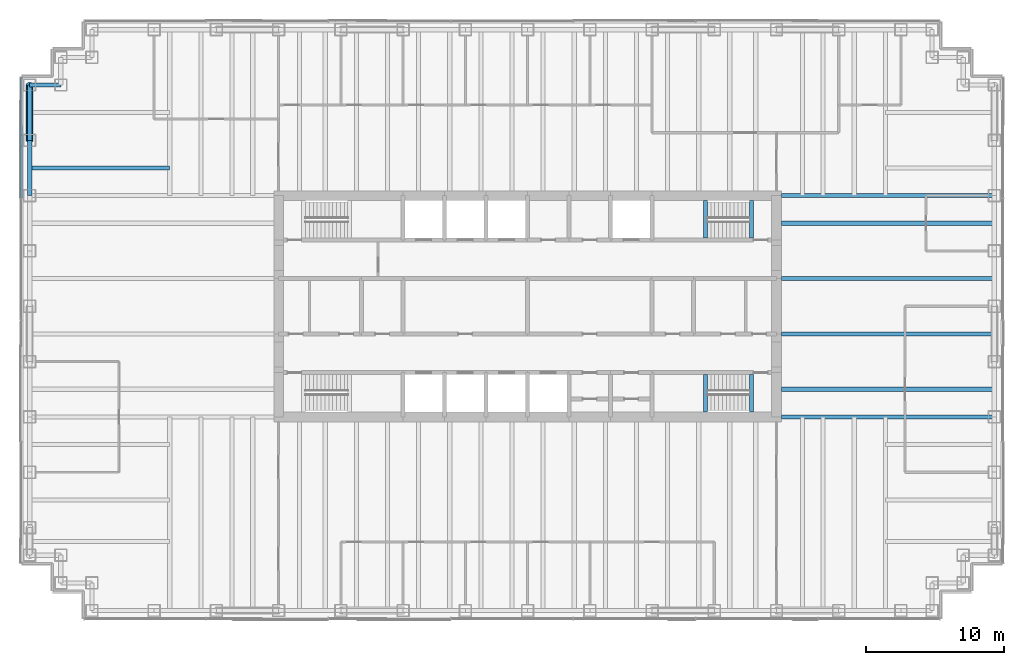
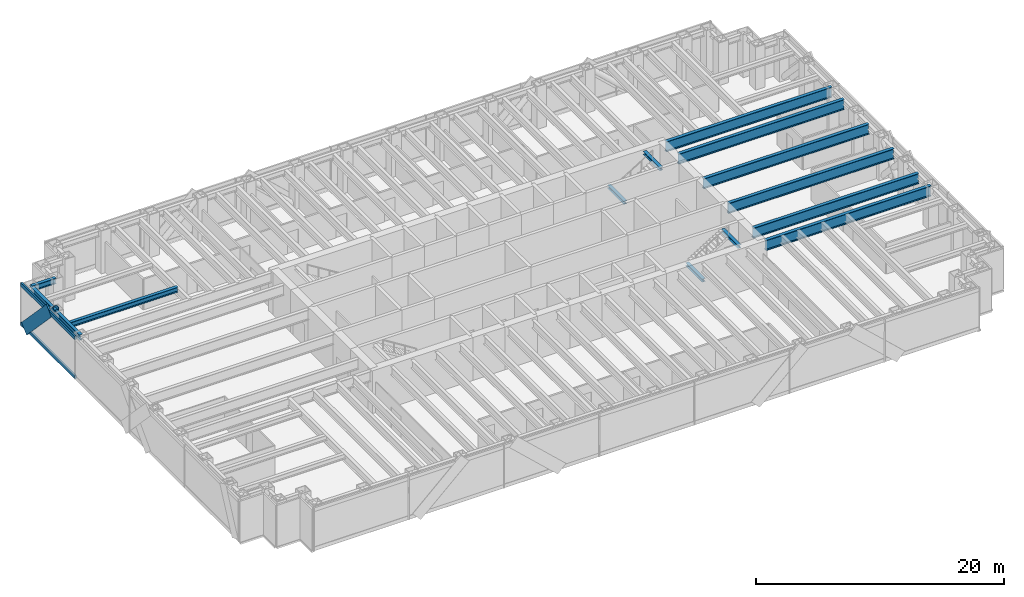
# One storey, part 5 of 15: 14 beams, 4 members, 1 element without a shape of its own.
"""IFC4 building model written with IfcOpenShell, lengths in metres."""

from ifc_helpers import new_model, si_unit, direction, frame, origin, origin_2d, place, context, subcontext, project, spatial, rectangle, hollow_circle, i_section, extrude, material, material_profile, profile_set, type_object, element, aggregate, save


model = new_model("IFC4")

# Units and contexts
model_context = context("Model", 3, precision=1e-05, world=origin(), true_north=direction((0.0, 1.0)))
body_context = subcontext(model_context, "Body", "Model", "MODEL_VIEW")
ifc_project = project(units=[si_unit("LENGTHUNIT", "METRE"), si_unit("AREAUNIT", "SQUARE_METRE"), si_unit("VOLUMEUNIT", "CUBIC_METRE"), si_unit("PLANEANGLEUNIT", "RADIAN"), si_unit("MASSUNIT", "GRAM", prefix="KILO")], contexts=[model_context])

# Site, building, storey
site_placement = place(None, origin())
site = spatial("IfcSite", under=ifc_project, at=site_placement, CompositionType="ELEMENT")
building_placement = place(site_placement, origin())
building = spatial("IfcBuilding", under=site, at=building_placement, Name="Rheinbord Bourse Tower", CompositionType="ELEMENT")
storey_placement = place(building_placement, frame((0.0, 0.0, 313.10009765625)))
storey = spatial("IfcBuildingStorey", under=building, at=storey_placement, Name="L71", CompositionType="ELEMENT", Elevation=313.10009765625)

# Curtain wall, members
ifc_material_1 = material(Name="Dark glass and black aluminium", Category="aluminium")
curtain_wall_type = type_object("IfcCurtainWallType", Name="CW3 DARK GLASS CURTAIN WALL", PredefinedType="USERDEFINED", material=ifc_material_1)
curtain_wall_placement = place(storey_placement, origin())
curtain_wall = element("IfcCurtainWall", 1, at=curtain_wall_placement, inside=storey, type_object=curtain_wall_type, Name="Curtain wall CW3 W L71", ObjectType="UNITISED CURTAIN WALL", PredefinedType="USERDEFINED")
ifc_material_2 = material(Name="Black anodised aluminium", Category="aluminium")
ifc_material_profile_1 = material_profile(ifc_material_2, rectangle(XDim=0.14990234375, YDim=1.10791015625, at=origin_2d()), Name="CW3 DIAGONAL MULLION 1108x150")
ifc_profile_set_1 = profile_set([ifc_material_profile_1], Name="Black anodised aluminium")
member_type_1 = type_object("IfcMemberType", Name="CW3 BLACK DIAGONAL MULLION", PredefinedType="USERDEFINED", material=ifc_profile_set_1)
member_1_placement = place(storey_placement, frame((-0.60009765625, 40.0, 0.0), z_axis=(0.0, -0.689659376744, 0.724133926887), x_axis=(1.0, 0.0, 0.0)))
member_1 = element("IfcMember", 2, at=member_1_placement, type_object=member_type_1, Name="CW3 diagonal mullion b", ObjectType="DIAGONAL MULLION", PredefinedType="USERDEFINED", context=body_context, shape_type="SweptSolid", body=[
    extrude(rectangle(XDim=0.14990234375, YDim=1.10791015625, at=origin_2d()), origin(), (0.0, 0.0, 1.0), 5.800048828125),
])
ifc_material_3 = material(Name="Black anodised aluminium", Category="aluminium")
ifc_material_profile_2 = material_profile(ifc_material_3, rectangle(XDim=0.14990234375, YDim=0.35009765625, at=origin_2d()), Name="CW3 TRANSOM 350x150")
ifc_profile_set_2 = profile_set([ifc_material_profile_2], Name="Black anodised aluminium")
member_type_2 = type_object("IfcMemberType", Name="CW3 BLACK TRANSOM", PredefinedType="USERDEFINED", material=ifc_profile_set_2)
member_2_placement = place(storey_placement, frame((-0.60009765625, 40.534912109375, 0.1748046875), z_axis=(0.0, -1.0, 0.0), x_axis=(1.0, 0.0, 0.0)))
member_2 = element("IfcMember", 3, at=member_2_placement, type_object=member_type_2, Name="CW3 transom 1.1", ObjectType="TRANSOM", PredefinedType="USERDEFINED", context=body_context, shape_type="SweptSolid", body=[
    extrude(rectangle(XDim=0.14990234375, YDim=0.35009765625, at=origin_2d()), origin(), (0.0, 0.0, 1.0), 8.702392578125),
])
member_3_placement = place(storey_placement, frame((-0.60009765625, 40.534912109375, 4.02490234375), z_axis=(0.0, -1.0, 0.0), x_axis=(1.0, 0.0, 0.0)))
member_3 = element("IfcMember", 4, at=member_3_placement, type_object=member_type_2, Name="CW3 transom 1.2", ObjectType="TRANSOM", PredefinedType="USERDEFINED", context=body_context, shape_type="SweptSolid", body=[
    extrude(rectangle(XDim=0.14990234375, YDim=0.35009765625, at=origin_2d()), origin(), (0.0, 0.0, 1.0), 8.702392578125),
])
aggregate(curtain_wall, [member_2, member_3, member_1])

# Beams
ifc_material_4 = material(Name="Steel S460", Category="steel")
ifc_material_profile_3 = material_profile(ifc_material_4, i_section(OverallWidth=0.302001953125, OverallDepth=1.008056640625, WebThickness=0.02099609375, FlangeThickness=0.0400390625, at=origin_2d()), Name="HEM 1000")
ifc_profile_set_3 = profile_set([ifc_material_profile_3], Name="Steel S460")
beam_type_1 = type_object("IfcBeamType", Name="END BEAM HEM 1000", PredefinedType="BEAM", material=ifc_profile_set_3)
for number, where, z_axis, x_axis, name in (
    (5, (54.35009765625, 18.0, 3.535888671875), (1.0, 0.0, 0.0), (0.0, 1.0, 0.0), "End beam east 18 L72"),
    (6, (54.35009765625, 22.0, 3.535888671875), (1.0, 0.0, 0.0), (0.0, 1.0, 0.0), "End beam east 22 L72"),
    (7, (54.35009765625, 26.0, 3.535888671875), (1.0, 0.0, 0.0), (0.0, 1.0, 0.0), "End beam east 26 L72"),
    (8, (54.35009765625, 30.0, 3.535888671875), (1.0, 0.0, 0.0), (0.0, 1.0, 0.0), "End beam east 30 L72"),
):
    element("IfcBeam", number, at=place(storey_placement, frame(where, z_axis=z_axis, x_axis=x_axis)), inside=storey, type_object=beam_type_1, Name=name, PredefinedType="BEAM", context=body_context, shape_type="SweptSolid", body=[
        extrude(i_section(OverallWidth=0.302001953125, OverallDepth=1.008056640625, WebThickness=0.02099609375, FlangeThickness=0.0400390625, at=origin_2d()), origin(), (0.0, 0.0, 1.0), 15.39990234375),
    ])
ifc_material_5 = material(Name="Steel S460", Category="steel")
ifc_material_profile_4 = material_profile(ifc_material_5, i_section(OverallWidth=0.302001953125, OverallDepth=1.008056640625, WebThickness=0.02099609375, FlangeThickness=0.0400390625, at=origin_2d()), Name="HEM 1000")
ifc_profile_set_4 = profile_set([ifc_material_profile_4], Name="Steel S460")
beam_type_2 = type_object("IfcBeamType", Name="GIRDER HEM 1000", PredefinedType="BEAM", material=ifc_profile_set_4)
for number, where, z_axis, x_axis, name in (
    (9, (54.35009765625, 16.0, 3.535888671875), (1.0, 0.0, 0.0), (0.0, 1.0, 0.0), "Girder east 16 L72"),
    (10, (54.35009765625, 32.0, 3.535888671875), (1.0, 0.0, 0.0), (0.0, 1.0, 0.0), "Girder east 32 L72"),
):
    element("IfcBeam", number, at=place(storey_placement, frame(where, z_axis=z_axis, x_axis=x_axis)), inside=storey, type_object=beam_type_2, Name=name, PredefinedType="BEAM", context=body_context, shape_type="SweptSolid", body=[
        extrude(i_section(OverallWidth=0.302001953125, OverallDepth=1.008056640625, WebThickness=0.02099609375, FlangeThickness=0.0400390625, at=origin_2d()), origin(), (0.0, 0.0, 1.0), 15.39990234375),
    ])
ifc_material_6 = material(Name="Steel S460", Category="steel")
ifc_material_profile_5 = material_profile(ifc_material_6, i_section(OverallWidth=0.300048828125, OverallDepth=0.300048828125, WebThickness=0.010986328125, FlangeThickness=0.01904296875, at=origin_2d()), Name="HEB 300")
ifc_profile_set_5 = profile_set([ifc_material_profile_5], Name="Steel S460")
beam_type_3 = type_object("IfcBeamType", Name="LANDING TRIMMER HEB 300", PredefinedType="BEAM", material=ifc_profile_set_5)
for number, where, z_axis, x_axis, name in (
    (11, (48.8701171875, 16.35009765625, 1.75), (0.0, 1.0, 0.0), (-1.0, 0.0, 0.0), "Landing trimmer ST3 L71"),
    (12, (52.199951171875, 16.35009765625, 3.889892578125), (0.0, 1.0, 0.0), (-1.0, 0.0, 0.0), "Well trimmer ST3 under L72"),
    (13, (48.8701171875, 28.949951171875, 1.75), (0.0, 1.0, 0.0), (-1.0, 0.0, 0.0), "Landing trimmer ST4 L71"),
    (14, (52.199951171875, 28.949951171875, 3.889892578125), (0.0, 1.0, 0.0), (-1.0, 0.0, 0.0), "Well trimmer ST4 under L72"),
):
    element("IfcBeam", number, at=place(storey_placement, frame(where, z_axis=z_axis, x_axis=x_axis)), inside=storey, type_object=beam_type_3, Name=name, PredefinedType="BEAM", context=body_context, shape_type="SweptSolid", body=[
        extrude(i_section(OverallWidth=0.300048828125, OverallDepth=0.300048828125, WebThickness=0.010986328125, FlangeThickness=0.01904296875, at=origin_2d()), origin(), (0.0, 0.0, 1.0), 2.699951171875),
    ])

# Member
ifc_material_7 = material(Name="Steel S460", Category="steel")
ifc_material_profile_6 = material_profile(ifc_material_7, hollow_circle(Radius=0.25390625, WallThickness=0.030029296875, at=origin_2d()), Name="CHS 508x30")
ifc_profile_set_6 = profile_set([ifc_material_profile_6], Name="Steel S460")
member_type_3 = type_object("IfcMemberType", Name="MEGABRACE CHS 508x30", PredefinedType="BRACE", material=ifc_profile_set_6)
member_4_placement = place(storey_placement, frame((0.0, 40.0, 0.0), z_axis=(0.0, -0.689659376744, 0.724133926887), x_axis=(1.0, 0.0, 0.0)))
element("IfcMember", 15, at=member_4_placement, inside=storey, type_object=member_type_3, Name="Megabrace W face line b L71", PredefinedType="BRACE", context=body_context, shape_type="SweptSolid", body=[
    extrude(hollow_circle(Radius=0.25390625, WallThickness=0.030029296875, at=origin_2d()), origin(), (0.0, 0.0, 1.0), 5.800048828125),
])

# Beams
ifc_material_8 = material(Name="Steel S460", Category="steel")
ifc_material_profile_7 = material_profile(ifc_material_8, i_section(OverallWidth=0.300048828125, OverallDepth=0.550048828125, WebThickness=0.014892578125, FlangeThickness=0.029052734375, at=origin_2d()), Name="HEB 550")
ifc_profile_set_7 = profile_set([ifc_material_profile_7], Name="Steel S460")
beam_type_4 = type_object("IfcBeamType", Name="SPANDREL HEB 550", PredefinedType="SPANDREL", material=ifc_profile_set_7)
beam_1_placement = place(storey_placement, frame((2.25, 40.0, 3.764892578125), z_axis=(-1.0, 0.0, 0.0), x_axis=(0.0, -1.0, 0.0)))
element("IfcBeam", 16, at=beam_1_placement, inside=storey, type_object=beam_type_4, Name="Spandrel NW-B-NW-A under L72", PredefinedType="SPANDREL", context=body_context, shape_type="SweptSolid", body=[
    extrude(i_section(OverallWidth=0.300048828125, OverallDepth=0.550048828125, WebThickness=0.014892578125, FlangeThickness=0.029052734375, at=origin_2d()), origin(), (0.0, 0.0, 1.0), 2.25),
])
for number, where, z_axis, x_axis, name in (
    (17, (0.0, 40.0, 3.764892578125), (0.0, -1.0, 0.0), (1.0, 0.0, 0.0), "Spandrel NW-A-W-36 under L72"),
    (18, (0.0, 36.0, 3.764892578125), (0.0, -1.0, 0.0), (1.0, 0.0, 0.0), "Spandrel W-36-W-32 under L72"),
):
    element("IfcBeam", number, at=place(storey_placement, frame(where, z_axis=z_axis, x_axis=x_axis)), inside=storey, type_object=beam_type_4, Name=name, PredefinedType="SPANDREL", context=body_context, shape_type="SweptSolid", body=[
        extrude(i_section(OverallWidth=0.300048828125, OverallDepth=0.550048828125, WebThickness=0.014892578125, FlangeThickness=0.029052734375, at=origin_2d()), origin(), (0.0, 0.0, 1.0), 4.0),
    ])
ifc_material_9 = material(Name="Steel S460", Category="steel")
ifc_material_profile_8 = material_profile(ifc_material_9, i_section(OverallWidth=0.300048828125, OverallDepth=0.5, WebThickness=0.014404296875, FlangeThickness=0.028076171875, at=origin_2d()), Name="HEB 500")
ifc_profile_set_8 = profile_set([ifc_material_profile_8], Name="Steel S460")
beam_type_5 = type_object("IfcBeamType", Name="TIE BEAM HEB 500", PredefinedType="JOIST", material=ifc_profile_set_8)
beam_2_placement = place(storey_placement, frame((0.0, 34.0, 3.789794921875), z_axis=(1.0, 0.0, 0.0), x_axis=(0.0, 1.0, 0.0)))
element("IfcBeam", 19, at=beam_2_placement, inside=storey, type_object=beam_type_5, Name="Tie west 34 L72", PredefinedType="JOIST", context=body_context, shape_type="SweptSolid", body=[
    extrude(i_section(OverallWidth=0.300048828125, OverallDepth=0.5, WebThickness=0.014404296875, FlangeThickness=0.028076171875, at=origin_2d()), origin(), (0.0, 0.0, 1.0), 10.125),
])

save(model, "model.ifc")
